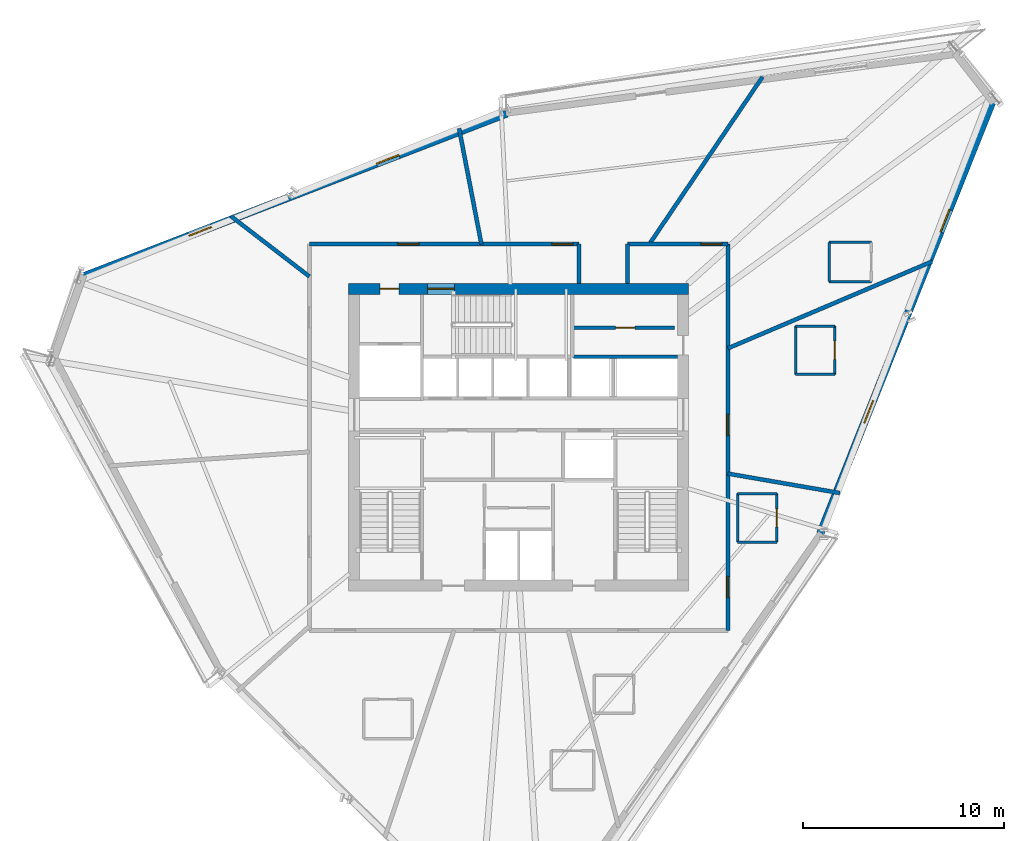
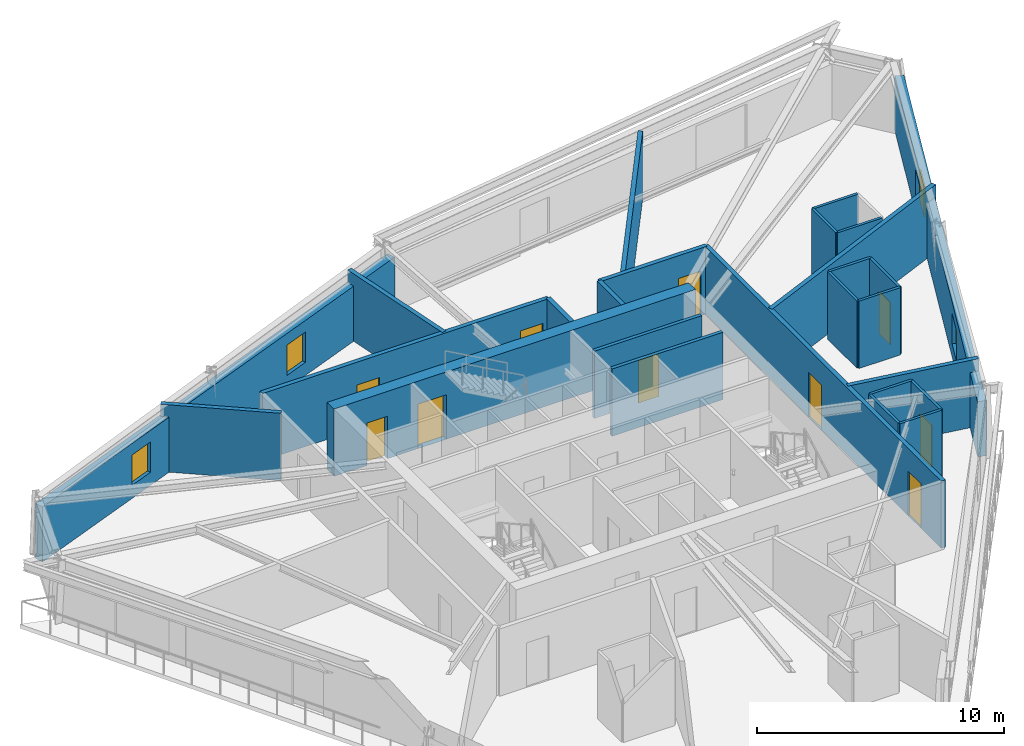
# One storey, part 9 of 13: 26 walls, 10 doors, 4 windows, 14 openings.
"""IFC4 building model written with IfcOpenShell, lengths in metres."""

from ifc_helpers import new_model, si_unit, direction, frame, frame_2d, origin, place, context, subcontext, project, spatial, rectangle, extrude, source, transform, mapped, material, layer, layer_set, type_object, type_shapes, element, fill, save


model = new_model("IFC4")

# Units and contexts
model_context = context("Model", 3, precision=1e-05, world=origin(), true_north=direction((0.0, 1.0)))
body_context = subcontext(model_context, "Body", "Model", "MODEL_VIEW")
ifc_project = project(units=[si_unit("LENGTHUNIT", "METRE"), si_unit("AREAUNIT", "SQUARE_METRE"), si_unit("VOLUMEUNIT", "CUBIC_METRE"), si_unit("PLANEANGLEUNIT", "RADIAN"), si_unit("MASSUNIT", "GRAM", prefix="KILO")], contexts=[model_context])

# Site, building, storey
site_placement = place(None, origin())
site = spatial("IfcSite", under=ifc_project, at=site_placement, CompositionType="ELEMENT")
building_placement = place(site_placement, origin())
building = spatial("IfcBuilding", under=site, at=building_placement, Name="Olszyna Solenne Hotel", CompositionType="ELEMENT")
storey_placement = place(building_placement, frame((0.0, 0.0, 189.199951171875)))
storey = spatial("IfcBuildingStorey", under=building, at=storey_placement, Name="L50", CompositionType="ELEMENT", Elevation=189.199951171875)

# Wall, openings, doors
ifc_material_1 = material(Name="Concrete C50/60", Category="concrete")
ifc_layer_1 = layer(ifc_material_1, 0.550048828125, Name="Concrete C50/60")
ifc_layer_set_1 = layer_set([ifc_layer_1], Name="Concrete C50/60")
wall_type_1 = type_object("IfcWallType", Name="WL-CR550", PredefinedType="SHEAR", material=ifc_layer_set_1)
wall_1_placement = place(storey_placement, frame((29.550048828125, 33.97509765625, 0.0), z_axis=(0.0, 0.0, 1.0), x_axis=(1.0, 0.0, 0.0)))
wall_1 = element("IfcWall", 1, at=wall_1_placement, inside=storey, type_object=wall_type_1, Name="Core shear wall WL-CR550 CRW-L50-N", PredefinedType="SHEAR", context=body_context, shape_type="SweptSolid", body=[
    extrude(rectangle(XDim=16.89990234375, YDim=0.550048828125, at=frame_2d((8.449951171875, 0.0))), origin(), (0.0, 0.0, 1.0), 3.330078125),
])
opening_1_placement = place(wall_1_placement, frame((1.550048828125, 0.0, 0.0)))
opening_1 = element("IfcOpeningElement", 2, at=opening_1_placement, cuts=wall_1, Name="Opening SVD-L50-01", PredefinedType="OPENING", context=body_context, shape_type="SweptSolid", body=[
    extrude(rectangle(XDim=0.949951171875, YDim=2.10009765625, at=frame_2d((0.47509765625, 1.050048828125))), frame((0.0, 0.28515625, 0.0), z_axis=(0.0, -1.0, 0.0), x_axis=(1.0, 0.0, 0.0)), (0.0, 0.0, 1.0), 0.570068359375),
])
opening_2_placement = place(wall_1_placement, frame((3.929931640625, 0.0, 0.0)))
opening_2 = element("IfcOpeningElement", 3, at=opening_2_placement, cuts=wall_1, Name="Opening STD-L50-03", PredefinedType="OPENING", context=body_context, shape_type="SweptSolid", body=[
    extrude(rectangle(XDim=1.320068359375, YDim=2.199951171875, at=frame_2d((0.66015625, 1.10009765625))), frame((0.0, 0.28515625, 0.0), z_axis=(0.0, -1.0, 0.0), x_axis=(1.0, 0.0, 0.0)), (0.0, 0.0, 1.0), 0.570068359375),
])
ifc_material_2 = material(Name="Steel S355J2", Category="steel")
door_type_1 = type_object("IfcDoorType", Name="DR-ST1", OperationType="NOTDEFINED", PredefinedType="DOOR", material=ifc_material_2)
shared_shape_1 = source(origin(), body_context, "Body", "SweptSolid", [
    extrude(rectangle(XDim=1.320068359375, YDim=2.199951171875, at=frame_2d((0.66015625, 1.10009765625))), frame((0.0, 0.02490234375, 0.0), z_axis=(0.0, -1.0, 0.0), x_axis=(1.0, 0.0, 0.0)), (0.0, 0.0, 1.0), 0.050048828125),
])
type_shapes(door_type_1, [shared_shape_1])
door_1_placement = place(opening_2_placement, origin())
door_1 = element("IfcDoor", 4, at=door_1_placement, inside=storey, type_object=door_type_1, Name="Pressurised exit stair ST3 fire door STD-L50-03", OperationType="SINGLE_SWING_RIGHT", OverallHeight=2.199951171875, OverallWidth=1.320068359375, PredefinedType="DOOR", context=body_context, shape_type="MappedRepresentation", body=[
    mapped(shared_shape_1, transform((0.0, 0.0, 0.0), x_axis=(1.0, 0.0, 0.0), y_axis=(0.0, 1.0, 0.0), z_axis=(0.0, 0.0, 1.0), scale=1.0)),
])
fill(opening_2, door_1)
door_type_2 = type_object("IfcDoorType", Name="DR-SV1", OperationType="NOTDEFINED", PredefinedType="DOOR", material=ifc_material_2)
shared_shape_2 = source(origin(), body_context, "Body", "SweptSolid", [
    extrude(rectangle(XDim=0.949951171875, YDim=2.10009765625, at=frame_2d((0.47509765625, 1.050048828125))), frame((0.0, 0.02490234375, 0.0), z_axis=(0.0, -1.0, 0.0), x_axis=(1.0, 0.0, 0.0)), (0.0, 0.0, 1.0), 0.050048828125),
])
type_shapes(door_type_2, [shared_shape_2])
door_2_placement = place(opening_1_placement, origin())
door_2 = element("IfcDoor", 5, at=door_2_placement, inside=storey, type_object=door_type_2, Name="Service lift lobby fire door SVD-L50-01", OperationType="SINGLE_SWING_LEFT", OverallHeight=2.10009765625, OverallWidth=0.949951171875, PredefinedType="DOOR", context=body_context, shape_type="MappedRepresentation", body=[
    mapped(shared_shape_2, transform((0.0, 0.0, 0.0), x_axis=(1.0, 0.0, 0.0), y_axis=(0.0, 1.0, 0.0), z_axis=(0.0, 0.0, 1.0), scale=1.0)),
])
fill(opening_1, door_2)

# Wall, openings, windows
ifc_material_3 = material(Name="Terracotta cladding on precast concrete C45/55", Category="masonry")
ifc_layer_2 = layer(ifc_material_3, 0.3798828125, Name="Terracotta cladding on precast concrete C45/55")
ifc_layer_set_2 = layer_set([ifc_layer_2], Name="Terracotta cladding on precast concrete C45/55")
wall_type_2 = type_object("IfcWallType", Name="WL-EX380", PredefinedType="SOLIDWALL", material=ifc_layer_set_2)
wall_2_placement = place(storey_placement, frame((16.2451171875, 34.550048828125, 0.0), z_axis=(0.0, 0.0, 1.0), x_axis=(0.933308155782, 0.359076435249, 0.0)))
wall_2 = element("IfcWall", 6, at=wall_2_placement, inside=storey, type_object=wall_type_2, Name="Exterior terracotta-precast frame wall WL-EX380 EW-L50-07", PredefinedType="SOLIDWALL", context=body_context, shape_type="SweptSolid", body=[
    extrude(rectangle(XDim=22.685302734375, YDim=0.3798828125, at=frame_2d((11.3427734375, 0.0))), origin(), (0.0, 0.0, 1.0), 2.72216796875),
])
opening_3_placement = place(wall_2_placement, frame((5.751953125, 0.0, 0.64990234375)))
opening_3 = element("IfcOpeningElement", 7, at=opening_3_placement, cuts=wall_2, Name="Opening WN-L50-319", PredefinedType="OPENING", context=body_context, shape_type="SweptSolid", body=[
    extrude(rectangle(XDim=1.199951171875, YDim=1.5, at=frame_2d((0.60009765625, 0.75))), frame((0.0, 0.199951171875, 0.0), z_axis=(0.0, -1.0, 0.0), x_axis=(1.0, 0.0, 0.0)), (0.0, 0.0, 1.0), 0.39990234375),
])
opening_4_placement = place(wall_2_placement, frame((15.73291015625, 0.0, 0.64990234375)))
opening_4 = element("IfcOpeningElement", 8, at=opening_4_placement, cuts=wall_2, Name="Opening WN-L50-320", PredefinedType="OPENING", context=body_context, shape_type="SweptSolid", body=[
    extrude(rectangle(XDim=1.199951171875, YDim=1.5, at=frame_2d((0.60009765625, 0.75))), frame((0.0, 0.199951171875, 0.0), z_axis=(0.0, -1.0, 0.0), x_axis=(1.0, 0.0, 0.0)), (0.0, 0.0, 1.0), 0.39990234375),
])
ifc_material_4 = material(Name="Low-E triple glazing", Category="glass")
window_type = type_object("IfcWindowType", Name="WN-B1", PartitioningType="SINGLE_PANEL", PredefinedType="WINDOW", material=ifc_material_4)
shared_shape_3 = source(origin(), body_context, "Body", "SweptSolid", [
    extrude(rectangle(XDim=1.199951171875, YDim=1.5, at=frame_2d((0.60009765625, 0.75))), frame((0.0, 0.030029296875, 0.0), z_axis=(0.0, -1.0, 0.0), x_axis=(1.0, 0.0, 0.0)), (0.0, 0.0, 1.0), 0.06005859375),
])
type_shapes(window_type, [shared_shape_3])
window_1_placement = place(opening_3_placement, origin())
window_1 = element("IfcWindow", 9, at=window_1_placement, inside=storey, type_object=window_type, Name="Exterior facade window WN-B1 WN-L50-319", OverallHeight=1.5, OverallWidth=1.199951171875, PartitioningType="SINGLE_PANEL", PredefinedType="WINDOW", context=body_context, shape_type="MappedRepresentation", body=[
    mapped(shared_shape_3, transform((0.0, 0.0, 0.0), x_axis=(1.0, 0.0, 0.0), y_axis=(0.0, 1.0, 0.0), z_axis=(0.0, 0.0, 1.0), scale=1.0)),
])
fill(opening_3, window_1)
window_2_placement = place(opening_4_placement, origin())
window_2 = element("IfcWindow", 10, at=window_2_placement, inside=storey, type_object=window_type, Name="Exterior facade window WN-B1 WN-L50-320", OverallHeight=1.5, OverallWidth=1.199951171875, PartitioningType="SINGLE_PANEL", PredefinedType="WINDOW", context=body_context, shape_type="MappedRepresentation", body=[
    mapped(shared_shape_3, transform((0.0, 0.0, 0.0), x_axis=(1.0, 0.0, 0.0), y_axis=(0.0, 1.0, 0.0), z_axis=(0.0, 0.0, 1.0), scale=1.0)),
])
fill(opening_4, window_2)

wall_3_placement = place(storey_placement, frame((61.595703125, 43.416015625, 0.0), z_axis=(0.0, 0.0, 1.0), x_axis=(-0.370190270335, -0.928955953611, 0.0)))
wall_3 = element("IfcWall", 11, at=wall_3_placement, inside=storey, type_object=wall_type_2, Name="Exterior terracotta-precast frame wall WL-EX380 EW-L50-10", PredefinedType="SOLIDWALL", context=body_context, shape_type="SweptSolid", body=[
    extrude(rectangle(XDim=23.254638671875, YDim=0.3798828125, at=frame_2d((11.62744140625, 0.0))), origin(), (0.0, 0.0, 1.0), 2.72216796875),
])
opening_5_placement = place(wall_3_placement, frame((5.910888671875, 0.0, 0.64990234375)))
opening_5 = element("IfcOpeningElement", 12, at=opening_5_placement, cuts=wall_3, Name="Opening WN-L50-322", PredefinedType="OPENING", context=body_context, shape_type="SweptSolid", body=[
    extrude(rectangle(XDim=1.199951171875, YDim=1.5, at=frame_2d((0.60009765625, 0.75))), frame((0.0, 0.199951171875, 0.0), z_axis=(0.0, -1.0, 0.0), x_axis=(1.0, 0.0, 0.0)), (0.0, 0.0, 1.0), 0.39990234375),
])
opening_6_placement = place(wall_3_placement, frame((16.14306640625, 0.0, 0.64990234375)))
opening_6 = element("IfcOpeningElement", 13, at=opening_6_placement, cuts=wall_3, Name="Opening WN-L50-323", PredefinedType="OPENING", context=body_context, shape_type="SweptSolid", body=[
    extrude(rectangle(XDim=1.199951171875, YDim=1.5, at=frame_2d((0.60009765625, 0.75))), frame((0.0, 0.199951171875, 0.0), z_axis=(0.0, -1.0, 0.0), x_axis=(1.0, 0.0, 0.0)), (0.0, 0.0, 1.0), 0.39990234375),
])
window_3_placement = place(opening_5_placement, origin())
window_3 = element("IfcWindow", 14, at=window_3_placement, inside=storey, type_object=window_type, Name="Exterior facade window WN-B1 WN-L50-322", OverallHeight=1.5, OverallWidth=1.199951171875, PartitioningType="SINGLE_PANEL", PredefinedType="WINDOW", context=body_context, shape_type="MappedRepresentation", body=[
    mapped(shared_shape_3, transform((0.0, 0.0, 0.0), x_axis=(1.0, 0.0, 0.0), y_axis=(0.0, 1.0, 0.0), z_axis=(0.0, 0.0, 1.0), scale=1.0)),
])
fill(opening_5, window_3)
window_4_placement = place(opening_6_placement, origin())
window_4 = element("IfcWindow", 15, at=window_4_placement, inside=storey, type_object=window_type, Name="Exterior facade window WN-B1 WN-L50-323", OverallHeight=1.5, OverallWidth=1.199951171875, PartitioningType="SINGLE_PANEL", PredefinedType="WINDOW", context=body_context, shape_type="MappedRepresentation", body=[
    mapped(shared_shape_3, transform((0.0, 0.0, 0.0), x_axis=(1.0, 0.0, 0.0), y_axis=(0.0, 1.0, 0.0), z_axis=(0.0, 0.0, 1.0), scale=1.0)),
])
fill(opening_6, window_4)

# Wall, opening, door
ifc_material_5 = material(Name="Acoustic gypsum partition", Category="gypsum")
ifc_layer_3 = layer(ifc_material_5, 0.125, Name="Acoustic gypsum partition")
ifc_layer_set_3 = layer_set([ifc_layer_3], Name="Acoustic gypsum partition")
wall_type_3 = type_object("IfcWallType", Name="WL-PT125", PredefinedType="PARTITIONING", material=ifc_layer_set_3)
wall_4_placement = place(storey_placement, frame((50.8349609375, 21.39501953125, 0.0), z_axis=(0.0, 0.0, 1.0), x_axis=(0.0, 1.0, 0.0)))
wall_4 = element("IfcWall", 16, at=wall_4_placement, inside=storey, type_object=wall_type_3, Name="Interior acoustic partition WL-PT125 PW-L50-2833", PredefinedType="PARTITIONING", context=body_context, shape_type="SweptSolid", body=[
    extrude(rectangle(XDim=2.39990234375, YDim=0.125, at=frame_2d((1.199951171875, 0.0))), origin(), (0.0, 0.0, 1.0), 3.330078125),
])
opening_7_placement = place(wall_4_placement, frame((0.75, 0.0, 0.0)))
opening_7 = element("IfcOpeningElement", 17, at=opening_7_placement, cuts=wall_4, Name="Opening DR-L50-0686", PredefinedType="OPENING", context=body_context, shape_type="SweptSolid", body=[
    extrude(rectangle(XDim=0.89990234375, YDim=2.10009765625, at=frame_2d((0.449951171875, 1.050048828125))), frame((0.0, 0.072509765625, 0.0), z_axis=(0.0, -1.0, 0.0), x_axis=(1.0, 0.0, 0.0)), (0.0, 0.0, 1.0), 0.14501953125),
])
ifc_material_6 = material(Name="Timber hardwood", Category="wood")
door_type_3 = type_object("IfcDoorType", Name="DR-WC1", OperationType="NOTDEFINED", PredefinedType="DOOR", material=ifc_material_6)
shared_shape_4 = source(origin(), body_context, "Body", "SweptSolid", [
    extrude(rectangle(XDim=0.89990234375, YDim=2.10009765625, at=frame_2d((0.449951171875, 1.050048828125))), frame((0.0, 0.02490234375, 0.0), z_axis=(0.0, -1.0, 0.0), x_axis=(1.0, 0.0, 0.0)), (0.0, 0.0, 1.0), 0.050048828125),
])
type_shapes(door_type_3, [shared_shape_4])
door_3_placement = place(opening_7_placement, origin())
door_3 = element("IfcDoor", 18, at=door_3_placement, inside=storey, type_object=door_type_3, Name="En-Suite Bathroom Door DR-L50-0686", OperationType="SINGLE_SWING_LEFT", OverallHeight=2.10009765625, OverallWidth=0.89990234375, PredefinedType="DOOR", context=body_context, shape_type="MappedRepresentation", body=[
    mapped(shared_shape_4, transform((0.0, 0.0, 0.0), x_axis=(1.0, 0.0, 0.0), y_axis=(0.0, 1.0, 0.0), z_axis=(0.0, 0.0, 1.0), scale=1.0)),
])
fill(opening_7, door_3)

# Walls
wall_5_placement = place(storey_placement, frame((50.8349609375, 23.794921875, 0.0), z_axis=(0.0, 0.0, 1.0), x_axis=(-1.0, 0.0, 0.0)))
element("IfcWall", 19, at=wall_5_placement, inside=storey, type_object=wall_type_3, Name="Interior acoustic partition WL-PT125 PW-L50-2834", PredefinedType="PARTITIONING", context=body_context, shape_type="SweptSolid", body=[
    extrude(rectangle(XDim=1.949951171875, YDim=0.125, at=frame_2d((0.97509765625, 0.0))), origin(), (0.0, 0.0, 1.0), 3.330078125),
])
wall_6_placement = place(storey_placement, frame((48.885009765625, 23.794921875, 0.0), z_axis=(0.0, 0.0, 1.0), x_axis=(0.0, -1.0, 0.0)))
element("IfcWall", 20, at=wall_6_placement, inside=storey, type_object=wall_type_3, Name="Interior acoustic partition WL-PT125 PW-L50-2835", PredefinedType="PARTITIONING", context=body_context, shape_type="SweptSolid", body=[
    extrude(rectangle(XDim=2.39990234375, YDim=0.125, at=frame_2d((1.199951171875, 0.0))), origin(), (0.0, 0.0, 1.0), 3.330078125),
])
wall_7_placement = place(storey_placement, frame((48.885009765625, 21.39501953125, 0.0), z_axis=(0.0, 0.0, 1.0), x_axis=(1.0, 0.0, 0.0)))
element("IfcWall", 21, at=wall_7_placement, inside=storey, type_object=wall_type_3, Name="Interior acoustic partition WL-PT125 PW-L50-2836", PredefinedType="PARTITIONING", context=body_context, shape_type="SweptSolid", body=[
    extrude(rectangle(XDim=1.949951171875, YDim=0.125, at=frame_2d((0.97509765625, 0.0))), origin(), (0.0, 0.0, 1.0), 3.330078125),
])

# Wall, opening, door
wall_8_placement = place(storey_placement, frame((53.717041015625, 29.72509765625, 0.0), z_axis=(0.0, 0.0, 1.0), x_axis=(0.0, 1.0, 0.0)))
wall_8 = element("IfcWall", 22, at=wall_8_placement, inside=storey, type_object=wall_type_3, Name="Interior acoustic partition WL-PT125 PW-L50-2837", PredefinedType="PARTITIONING", context=body_context, shape_type="SweptSolid", body=[
    extrude(rectangle(XDim=2.39990234375, YDim=0.125, at=frame_2d((1.199951171875, 0.0))), origin(), (0.0, 0.0, 1.0), 3.330078125),
])
opening_8_placement = place(wall_8_placement, frame((0.75, 0.0, 0.0)))
opening_8 = element("IfcOpeningElement", 23, at=opening_8_placement, cuts=wall_8, Name="Opening DR-L50-0687", PredefinedType="OPENING", context=body_context, shape_type="SweptSolid", body=[
    extrude(rectangle(XDim=0.89990234375, YDim=2.10009765625, at=frame_2d((0.449951171875, 1.050048828125))), frame((0.0, 0.072509765625, 0.0), z_axis=(0.0, -1.0, 0.0), x_axis=(1.0, 0.0, 0.0)), (0.0, 0.0, 1.0), 0.14501953125),
])
door_4_placement = place(opening_8_placement, origin())
door_4 = element("IfcDoor", 24, at=door_4_placement, inside=storey, type_object=door_type_3, Name="En-Suite Bathroom Door DR-L50-0687", OperationType="SINGLE_SWING_LEFT", OverallHeight=2.10009765625, OverallWidth=0.89990234375, PredefinedType="DOOR", context=body_context, shape_type="MappedRepresentation", body=[
    mapped(shared_shape_4, transform((0.0, 0.0, 0.0), x_axis=(1.0, 0.0, 0.0), y_axis=(0.0, 1.0, 0.0), z_axis=(0.0, 0.0, 1.0), scale=1.0)),
])
fill(opening_8, door_4)

# Walls
wall_9_placement = place(storey_placement, frame((53.717041015625, 32.125, 0.0), z_axis=(0.0, 0.0, 1.0), x_axis=(-1.0, 0.0, 0.0)))
element("IfcWall", 25, at=wall_9_placement, inside=storey, type_object=wall_type_3, Name="Interior acoustic partition WL-PT125 PW-L50-2838", PredefinedType="PARTITIONING", context=body_context, shape_type="SweptSolid", body=[
    extrude(rectangle(XDim=1.949951171875, YDim=0.125, at=frame_2d((0.97509765625, 0.0))), origin(), (0.0, 0.0, 1.0), 3.330078125),
])
wall_10_placement = place(storey_placement, frame((51.76708984375, 32.125, 0.0), z_axis=(0.0, 0.0, 1.0), x_axis=(0.0, -1.0, 0.0)))
element("IfcWall", 26, at=wall_10_placement, inside=storey, type_object=wall_type_3, Name="Interior acoustic partition WL-PT125 PW-L50-2839", PredefinedType="PARTITIONING", context=body_context, shape_type="SweptSolid", body=[
    extrude(rectangle(XDim=2.39990234375, YDim=0.125, at=frame_2d((1.199951171875, 0.0))), origin(), (0.0, 0.0, 1.0), 3.330078125),
])
wall_11_placement = place(storey_placement, frame((51.76708984375, 29.72509765625, 0.0), z_axis=(0.0, 0.0, 1.0), x_axis=(1.0, 0.0, 0.0)))
element("IfcWall", 27, at=wall_11_placement, inside=storey, type_object=wall_type_3, Name="Interior acoustic partition WL-PT125 PW-L50-2840", PredefinedType="PARTITIONING", context=body_context, shape_type="SweptSolid", body=[
    extrude(rectangle(XDim=1.949951171875, YDim=0.125, at=frame_2d((0.97509765625, 0.0))), origin(), (0.0, 0.0, 1.0), 3.330078125),
])
wall_12_placement = place(storey_placement, frame((55.52587890625, 36.2919921875, 0.0), z_axis=(0.0, 0.0, 1.0), x_axis=(-1.0, 0.0, 0.0)))
element("IfcWall", 28, at=wall_12_placement, inside=storey, type_object=wall_type_3, Name="Interior acoustic partition WL-PT125 PW-L50-2842", PredefinedType="PARTITIONING", context=body_context, shape_type="SweptSolid", body=[
    extrude(rectangle(XDim=2.099853515625, YDim=0.125, at=frame_2d((1.0498046875, 0.0))), origin(), (0.0, 0.0, 1.0), 3.330078125),
])
wall_13_placement = place(storey_placement, frame((53.426025390625, 36.2919921875, 0.0), z_axis=(0.0, 0.0, 1.0), x_axis=(0.0, -1.0, 0.0)))
element("IfcWall", 29, at=wall_13_placement, inside=storey, type_object=wall_type_3, Name="Interior acoustic partition WL-PT125 PW-L50-2843", PredefinedType="PARTITIONING", context=body_context, shape_type="SweptSolid", body=[
    extrude(rectangle(XDim=1.949951171875, YDim=0.125, at=frame_2d((0.97509765625, 0.0))), origin(), (0.0, 0.0, 1.0), 3.330078125),
])
wall_14_placement = place(storey_placement, frame((53.426025390625, 34.342041015625, 0.0), z_axis=(0.0, 0.0, 1.0), x_axis=(1.0, 0.0, 0.0)))
element("IfcWall", 30, at=wall_14_placement, inside=storey, type_object=wall_type_3, Name="Interior acoustic partition WL-PT125 PW-L50-2844", PredefinedType="PARTITIONING", context=body_context, shape_type="SweptSolid", body=[
    extrude(rectangle(XDim=2.099853515625, YDim=0.125, at=frame_2d((1.0498046875, 0.0))), origin(), (0.0, 0.0, 1.0), 3.330078125),
])
ifc_layer_4 = layer(ifc_material_5, 0.159912109375, Name="Acoustic gypsum partition")
ifc_layer_set_4 = layer_set([ifc_layer_4], Name="Acoustic gypsum partition")
wall_type_4 = type_object("IfcWallType", Name="WL-PT160", PredefinedType="PARTITIONING", material=ifc_layer_set_4)
wall_15_placement = place(storey_placement, frame((40.719970703125, 30.60009765625, 0.0), z_axis=(0.0, 0.0, 1.0), x_axis=(1.0, 0.0, 0.0)))
element("IfcWall", 31, at=wall_15_placement, inside=storey, type_object=wall_type_4, Name="Core shaft compartment wall CW-L50-LRNTOP", PredefinedType="PARTITIONING", context=body_context, shape_type="SweptSolid", body=[
    extrude(rectangle(XDim=5.179931640625, YDim=0.159912109375, at=frame_2d((2.58984375, 0.0))), origin(), (0.0, 0.0, 1.0), 3.330078125),
])

# Wall, opening, door
wall_16_placement = place(storey_placement, frame((40.719970703125, 32.0458984375, 0.0), z_axis=(0.0, 0.0, 1.0), x_axis=(1.0, 0.0, 0.0)))
wall_16 = element("IfcWall", 32, at=wall_16_placement, inside=storey, type_object=wall_type_4, Name="Core shaft compartment wall CW-L50-BOH2", PredefinedType="PARTITIONING", context=body_context, shape_type="SweptSolid", body=[
    extrude(rectangle(XDim=5.030029296875, YDim=0.159912109375, at=frame_2d((2.51513671875, 0.0))), origin(), (0.0, 0.0, 1.0), 3.330078125),
])
opening_9_placement = place(wall_16_placement, frame((2.10009765625, 0.0, 0.0)))
opening_9 = element("IfcOpeningElement", 33, at=opening_9_placement, cuts=wall_16, Name="Opening SVD-L50-BI2", PredefinedType="OPENING", context=body_context, shape_type="SweptSolid", body=[
    extrude(rectangle(XDim=0.949951171875, YDim=2.10009765625, at=frame_2d((0.47509765625, 1.050048828125))), frame((0.0, 0.08984375, 0.0), z_axis=(0.0, -1.0, 0.0), x_axis=(1.0, 0.0, 0.0)), (0.0, 0.0, 1.0), 0.179931640625),
])
door_5_placement = place(opening_9_placement, origin())
door_5 = element("IfcDoor", 34, at=door_5_placement, inside=storey, type_object=door_type_2, Name="BOH inter-room fire door SVD-L50-BI2", OperationType="SINGLE_SWING_RIGHT", OverallHeight=2.10009765625, OverallWidth=0.949951171875, PredefinedType="DOOR", context=body_context, shape_type="MappedRepresentation", body=[
    mapped(shared_shape_2, transform((0.0, 0.0, 0.0), x_axis=(1.0, 0.0, 0.0), y_axis=(0.0, 1.0, 0.0), z_axis=(0.0, 0.0, 1.0), scale=1.0)),
])
fill(opening_9, door_5)

# Walls
ifc_layer_5 = layer(ifc_material_5, 0.199951171875, Name="Acoustic gypsum partition")
ifc_layer_set_5 = layer_set([ifc_layer_5], Name="Acoustic gypsum partition")
wall_type_5 = type_object("IfcWallType", Name="WL-PT200", PredefinedType="PARTITIONING", material=ifc_layer_set_5)
wall_17_placement = place(storey_placement, frame((48.39990234375, 24.794921875, 0.0), z_axis=(0.0, 0.0, 1.0), x_axis=(0.985274528665, -0.170979832624, 0.0)))
element("IfcWall", 35, at=wall_17_placement, inside=storey, type_object=wall_type_5, Name="Interior acoustic partition WL-PT200 PW-L50-2818", PredefinedType="PARTITIONING", context=body_context, shape_type="SweptSolid", body=[
    extrude(rectangle(XDim=5.64599609375, YDim=0.199951171875, at=frame_2d((2.822998046875, 0.0))), origin(), (0.0, 0.0, 1.0), 3.330078125),
])
wall_18_placement = place(storey_placement, frame((48.39990234375, 31.022705078125, 0.0), z_axis=(0.0, 0.0, 1.0), x_axis=(0.920240648348, 0.391352972556, 0.0)))
element("IfcWall", 36, at=wall_18_placement, inside=storey, type_object=wall_type_5, Name="Interior acoustic partition WL-PT200 PW-L50-2819", PredefinedType="PARTITIONING", context=body_context, shape_type="SweptSolid", body=[
    extrude(rectangle(XDim=11.02880859375, YDim=0.199951171875, at=frame_2d((5.514404296875, 0.0))), origin(), (0.0, 0.0, 1.0), 3.330078125),
])
wall_19_placement = place(storey_placement, frame((44.494140625, 36.199951171875, 0.0), z_axis=(0.0, 0.0, 1.0), x_axis=(0.560293666023, 0.828294034637, 0.0)))
element("IfcWall", 37, at=wall_19_placement, inside=storey, type_object=wall_type_5, Name="Interior acoustic partition WL-PT200 PW-L50-2820", PredefinedType="PARTITIONING", context=body_context, shape_type="SweptSolid", body=[
    extrude(rectangle(XDim=10.039794921875, YDim=0.199951171875, at=frame_2d((5.02001953125, 0.0))), origin(), (0.0, 0.0, 1.0), 3.330078125),
])
wall_20_placement = place(storey_placement, frame((36.147216796875, 36.199951171875, 0.0), z_axis=(0.0, 0.0, 1.0), x_axis=(-0.189474985253, 0.981885548302, 0.0)))
element("IfcWall", 38, at=wall_20_placement, inside=storey, type_object=wall_type_5, Name="Interior acoustic partition WL-PT200 PW-L50-2821", PredefinedType="PARTITIONING", context=body_context, shape_type="SweptSolid", body=[
    extrude(rectangle(XDim=5.857666015625, YDim=0.199951171875, at=frame_2d((2.9287109375, 0.0))), origin(), (0.0, 0.0, 1.0), 3.330078125),
])
wall_21_placement = place(storey_placement, frame((27.60009765625, 34.59130859375, 0.0), z_axis=(0.0, 0.0, 1.0), x_axis=(-0.792943004207, 0.609295816562, 0.0)))
element("IfcWall", 39, at=wall_21_placement, inside=storey, type_object=wall_type_5, Name="Interior acoustic partition WL-PT200 PW-L50-2822", PredefinedType="PARTITIONING", context=body_context, shape_type="SweptSolid", body=[
    extrude(rectangle(XDim=4.920166015625, YDim=0.199951171875, at=frame_2d((2.4599609375, 0.0))), origin(), (0.0, 0.0, 1.0), 3.330078125),
])

# Wall, openings, doors
wall_22_placement = place(storey_placement, frame((27.60009765625, 36.199951171875, 0.0), z_axis=(0.0, 0.0, 1.0), x_axis=(1.0, 0.0, 0.0)))
wall_22 = element("IfcWall", 40, at=wall_22_placement, inside=storey, type_object=wall_type_5, Name="Interior acoustic partition WL-PT200 PW-L50-2851", PredefinedType="PARTITIONING", context=body_context, shape_type="SweptSolid", body=[
    extrude(rectangle(XDim=13.39990234375, YDim=0.199951171875, at=frame_2d((6.699951171875, 0.0))), origin(), (0.0, 0.0, 1.0), 3.330078125),
])
opening_10_placement = place(wall_22_placement, frame((12.050048828125, 0.0, 0.0)))
opening_10 = element("IfcOpeningElement", 41, at=opening_10_placement, cuts=wall_22, Name="Opening DR-L50-0695", PredefinedType="OPENING", context=body_context, shape_type="SweptSolid", body=[
    extrude(rectangle(XDim=1.050048828125, YDim=2.199951171875, at=frame_2d((0.52490234375, 1.10009765625))), frame((0.0, 0.10986328125, 0.0), z_axis=(0.0, -1.0, 0.0), x_axis=(1.0, 0.0, 0.0)), (0.0, 0.0, 1.0), 0.219970703125),
])
opening_11_placement = place(wall_22_placement, frame((4.40087890625, 0.0, 0.0)))
opening_11 = element("IfcOpeningElement", 42, at=opening_11_placement, cuts=wall_22, Name="Opening DR-L50-0696", PredefinedType="OPENING", context=body_context, shape_type="SweptSolid", body=[
    extrude(rectangle(XDim=1.050048828125, YDim=2.199951171875, at=frame_2d((0.52490234375, 1.10009765625))), frame((0.0, 0.10986328125, 0.0), z_axis=(0.0, -1.0, 0.0), x_axis=(1.0, 0.0, 0.0)), (0.0, 0.0, 1.0), 0.219970703125),
])
door_type_4 = type_object("IfcDoorType", Name="DR-RM2", OperationType="NOTDEFINED", PredefinedType="DOOR", material=ifc_material_6)
shared_shape_5 = source(origin(), body_context, "Body", "SweptSolid", [
    extrude(rectangle(XDim=1.050048828125, YDim=2.199951171875, at=frame_2d((0.52490234375, 1.10009765625))), frame((0.0, 0.02490234375, 0.0), z_axis=(0.0, -1.0, 0.0), x_axis=(1.0, 0.0, 0.0)), (0.0, 0.0, 1.0), 0.050048828125),
])
type_shapes(door_type_4, [shared_shape_5])
door_6_placement = place(opening_10_placement, origin())
door_6 = element("IfcDoor", 43, at=door_6_placement, inside=storey, type_object=door_type_4, Name="Conference Boardroom Entrance Door DR-L50-0695", OperationType="SINGLE_SWING_RIGHT", OverallHeight=2.199951171875, OverallWidth=1.050048828125, PredefinedType="DOOR", context=body_context, shape_type="MappedRepresentation", body=[
    mapped(shared_shape_5, transform((0.0, 0.0, 0.0), x_axis=(1.0, 0.0, 0.0), y_axis=(0.0, 1.0, 0.0), z_axis=(0.0, 0.0, 1.0), scale=1.0)),
])
fill(opening_10, door_6)
door_7_placement = place(opening_11_placement, origin())
door_7 = element("IfcDoor", 44, at=door_7_placement, inside=storey, type_object=door_type_4, Name="Conference Boardroom Entrance Door DR-L50-0696", OperationType="SINGLE_SWING_LEFT", OverallHeight=2.199951171875, OverallWidth=1.050048828125, PredefinedType="DOOR", context=body_context, shape_type="MappedRepresentation", body=[
    mapped(shared_shape_5, transform((0.0, 0.0, 0.0), x_axis=(1.0, 0.0, 0.0), y_axis=(0.0, 1.0, 0.0), z_axis=(0.0, 0.0, 1.0), scale=1.0)),
])
fill(opening_11, door_7)

# Wall
wall_23_placement = place(storey_placement, frame((41.0, 34.25, 0.0), z_axis=(0.0, 0.0, 1.0), x_axis=(0.0, 1.0, 0.0)))
element("IfcWall", 45, at=wall_23_placement, inside=storey, type_object=wall_type_5, Name="Interior acoustic partition WL-PT200 PW-L50-2852", PredefinedType="PARTITIONING", context=body_context, shape_type="SweptSolid", body=[
    extrude(rectangle(XDim=1.949951171875, YDim=0.199951171875, at=frame_2d((0.97509765625, 0.0))), origin(), (0.0, 0.0, 1.0), 3.330078125),
])

# Wall, opening, door
wall_24_placement = place(storey_placement, frame((43.39990234375, 36.199951171875, 0.0), z_axis=(0.0, 0.0, 1.0), x_axis=(1.0, 0.0, 0.0)))
wall_24 = element("IfcWall", 46, at=wall_24_placement, inside=storey, type_object=wall_type_5, Name="Interior acoustic partition WL-PT200 PW-L50-2853", PredefinedType="PARTITIONING", context=body_context, shape_type="SweptSolid", body=[
    extrude(rectangle(XDim=5.0, YDim=0.199951171875, at=frame_2d((2.5, 0.0))), origin(), (0.0, 0.0, 1.0), 3.330078125),
])
opening_12_placement = place(wall_24_placement, frame((3.64990234375, 0.0, 0.0)))
opening_12 = element("IfcOpeningElement", 47, at=opening_12_placement, cuts=wall_24, Name="Opening DR-L50-0697", PredefinedType="OPENING", context=body_context, shape_type="SweptSolid", body=[
    extrude(rectangle(XDim=1.050048828125, YDim=2.199951171875, at=frame_2d((0.52490234375, 1.10009765625))), frame((0.0, 0.10986328125, 0.0), z_axis=(0.0, -1.0, 0.0), x_axis=(1.0, 0.0, 0.0)), (0.0, 0.0, 1.0), 0.219970703125),
])
door_8_placement = place(opening_12_placement, origin())
door_8 = element("IfcDoor", 48, at=door_8_placement, inside=storey, type_object=door_type_4, Name="Deluxe Hotel Guestroom Entrance Door DR-L50-0697", OperationType="SINGLE_SWING_LEFT", OverallHeight=2.199951171875, OverallWidth=1.050048828125, PredefinedType="DOOR", context=body_context, shape_type="MappedRepresentation", body=[
    mapped(shared_shape_5, transform((0.0, 0.0, 0.0), x_axis=(1.0, 0.0, 0.0), y_axis=(0.0, 1.0, 0.0), z_axis=(0.0, 0.0, 1.0), scale=1.0)),
])
fill(opening_12, door_8)

# Wall
wall_25_placement = place(storey_placement, frame((43.39990234375, 34.25, 0.0), z_axis=(0.0, 0.0, 1.0), x_axis=(0.0, 1.0, 0.0)))
element("IfcWall", 49, at=wall_25_placement, inside=storey, type_object=wall_type_5, Name="Interior acoustic partition WL-PT200 PW-L50-2854", PredefinedType="PARTITIONING", context=body_context, shape_type="SweptSolid", body=[
    extrude(rectangle(XDim=1.949951171875, YDim=0.199951171875, at=frame_2d((0.97509765625, 0.0))), origin(), (0.0, 0.0, 1.0), 3.330078125),
])

# Wall, openings, doors
wall_26_placement = place(storey_placement, frame((48.39990234375, 17.0, 0.0), z_axis=(0.0, 0.0, 1.0), x_axis=(0.0, 1.0, 0.0)))
wall_26 = element("IfcWall", 50, at=wall_26_placement, inside=storey, type_object=wall_type_5, Name="Interior acoustic partition WL-PT200 PW-L50-2855", PredefinedType="PARTITIONING", context=body_context, shape_type="SweptSolid", body=[
    extrude(rectangle(XDim=19.199951171875, YDim=0.199951171875, at=frame_2d((9.60009765625, 0.0))), origin(), (0.0, 0.0, 1.0), 3.330078125),
])
opening_13_placement = place(wall_26_placement, frame((1.632080078125, 0.0, 0.0)))
opening_13 = element("IfcOpeningElement", 51, at=opening_13_placement, cuts=wall_26, Name="Opening DR-L50-0698", PredefinedType="OPENING", context=body_context, shape_type="SweptSolid", body=[
    extrude(rectangle(XDim=1.050048828125, YDim=2.199951171875, at=frame_2d((0.52490234375, 1.10009765625))), frame((0.0, 0.10986328125, 0.0), z_axis=(0.0, -1.0, 0.0), x_axis=(1.0, 0.0, 0.0)), (0.0, 0.0, 1.0), 0.219970703125),
])
opening_14_placement = place(wall_26_placement, frame((9.68603515625, 0.0, 0.0)))
opening_14 = element("IfcOpeningElement", 52, at=opening_14_placement, cuts=wall_26, Name="Opening DR-L50-0699", PredefinedType="OPENING", context=body_context, shape_type="SweptSolid", body=[
    extrude(rectangle(XDim=1.050048828125, YDim=2.199951171875, at=frame_2d((0.52490234375, 1.10009765625))), frame((0.0, 0.10986328125, 0.0), z_axis=(0.0, -1.0, 0.0), x_axis=(1.0, 0.0, 0.0)), (0.0, 0.0, 1.0), 0.219970703125),
])
door_9_placement = place(opening_13_placement, origin())
door_9 = element("IfcDoor", 53, at=door_9_placement, inside=storey, type_object=door_type_4, Name="Deluxe Hotel Guestroom Entrance Door DR-L50-0698", OperationType="SINGLE_SWING_LEFT", OverallHeight=2.199951171875, OverallWidth=1.050048828125, PredefinedType="DOOR", context=body_context, shape_type="MappedRepresentation", body=[
    mapped(shared_shape_5, transform((0.0, 0.0, 0.0), x_axis=(1.0, 0.0, 0.0), y_axis=(0.0, 1.0, 0.0), z_axis=(0.0, 0.0, 1.0), scale=1.0)),
])
fill(opening_13, door_9)
door_10_placement = place(opening_14_placement, origin())
door_10 = element("IfcDoor", 54, at=door_10_placement, inside=storey, type_object=door_type_4, Name="Deluxe Hotel Guestroom Entrance Door DR-L50-0699", OperationType="SINGLE_SWING_RIGHT", OverallHeight=2.199951171875, OverallWidth=1.050048828125, PredefinedType="DOOR", context=body_context, shape_type="MappedRepresentation", body=[
    mapped(shared_shape_5, transform((0.0, 0.0, 0.0), x_axis=(1.0, 0.0, 0.0), y_axis=(0.0, 1.0, 0.0), z_axis=(0.0, 0.0, 1.0), scale=1.0)),
])
fill(opening_14, door_10)

save(model, "model.ifc")
